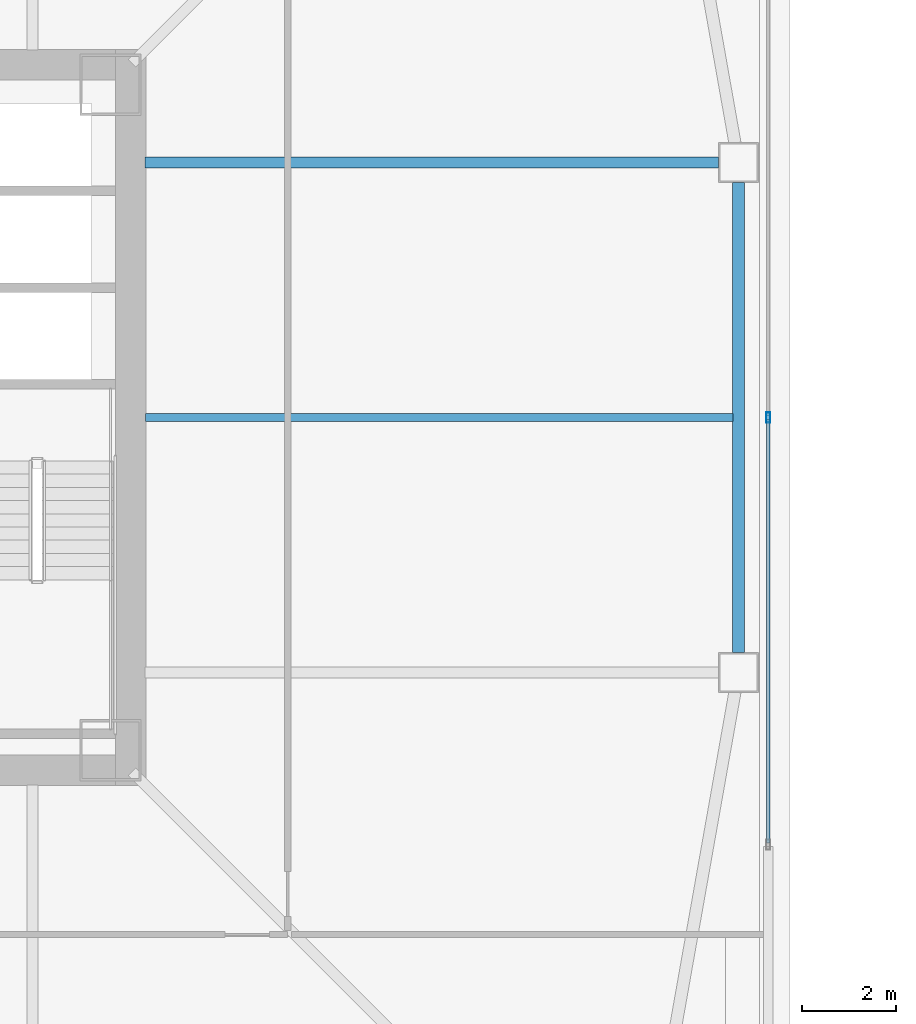
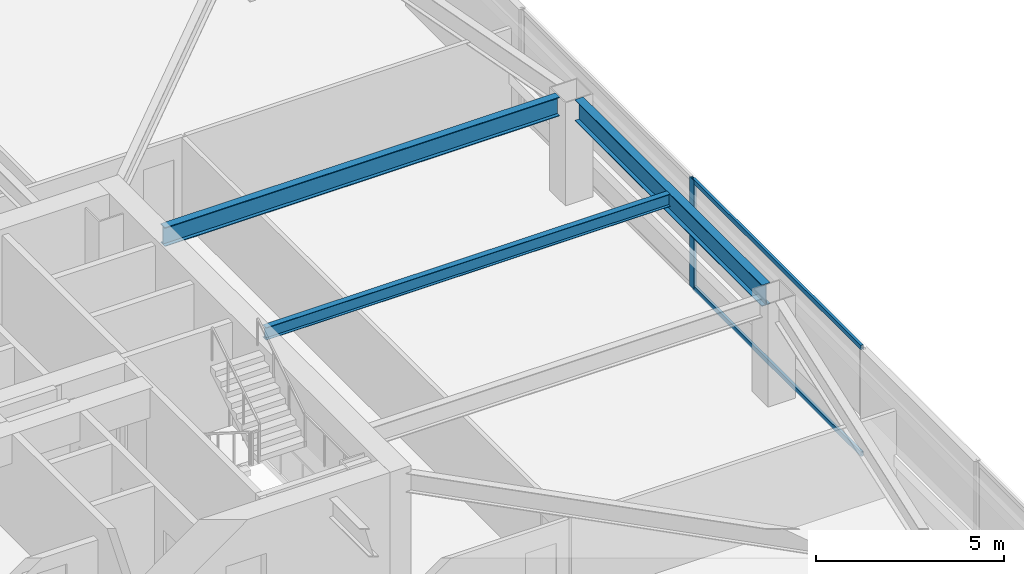
# One storey, part 10 of 48: 3 beams, 3 members, 1 element without a shape of its own.
"""IFC4 building model written with IfcOpenShell, lengths in metres."""

from ifc_helpers import new_model, si_unit, direction, frame, origin, origin_2d, place, context, subcontext, project, spatial, hollow_rectangle, i_section, extrude, material, material_profile, profile_set, type_object, element, aggregate, save


model = new_model("IFC4")

# Units and contexts
model_context = context("Model", 3, precision=1e-05, world=origin(), true_north=direction((0.0, 1.0)))
body_context = subcontext(model_context, "Body", "Model", "MODEL_VIEW")
ifc_project = project(units=[si_unit("LENGTHUNIT", "METRE"), si_unit("AREAUNIT", "SQUARE_METRE"), si_unit("VOLUMEUNIT", "CUBIC_METRE"), si_unit("PLANEANGLEUNIT", "RADIAN"), si_unit("MASSUNIT", "GRAM", prefix="KILO")], contexts=[model_context])

# Site, building, storey
site_placement = place(None, origin())
site = spatial("IfcSite", under=ifc_project, at=site_placement, CompositionType="ELEMENT")
building_placement = place(site_placement, origin())
building = spatial("IfcBuilding", under=site, at=building_placement, Name="Tashvorn Skyway Center", CompositionType="ELEMENT")
storey_placement = place(building_placement, frame((0.0, 0.0, 77.85009765625)))
storey = spatial("IfcBuildingStorey", under=building, at=storey_placement, Name="L20", CompositionType="ELEMENT", Elevation=77.85009765625)

# Beams
ifc_material_1 = material(Name="Steel ASTM A992 Grade 50", Category="steel")
ifc_material_profile_1 = material_profile(ifc_material_1, i_section(OverallWidth=0.22998046875, OverallDepth=0.616943359375, WebThickness=0.01318359375, FlangeThickness=0.022216796875, at=origin_2d()), Name="W24X94")
ifc_profile_set_1 = profile_set([ifc_material_profile_1], Name="Steel ASTM A992 Grade 50")
beam_type_1 = type_object("IfcBeamType", Name="BM-BEAM-W24X94", PredefinedType="BEAM", material=ifc_profile_set_1)
beam_1_placement = place(storey_placement, frame((61.929931640625, 37.39990234375, 3.04150390625), z_axis=(-1.0, 0.0, 0.0), x_axis=(0.0, -1.0, 0.0)))
element("IfcBeam", 1, at=beam_1_placement, inside=storey, type_object=beam_type_1, Name="Tower 1 L20 Primary Floor Girder FC-E2", PredefinedType="BEAM", context=body_context, shape_type="SweptSolid", body=[
    extrude(i_section(OverallWidth=0.22998046875, OverallDepth=0.616943359375, WebThickness=0.01318359375, FlangeThickness=0.022216796875, at=origin_2d()), origin(), (0.0, 0.0, 1.0), 12.14990234375),
])
ifc_material_profile_2 = material_profile(ifc_material_1, i_section(OverallWidth=0.177978515625, OverallDepth=0.406005859375, WebThickness=0.0078125, FlangeThickness=0.0126953125, at=origin_2d()), Name="W16X40")
ifc_profile_set_2 = profile_set([ifc_material_profile_2], Name="Steel ASTM A992 Grade 50")
beam_type_2 = type_object("IfcBeamType", Name="BM-JOIST-W16X40", PredefinedType="JOIST", material=ifc_profile_set_2)
beam_2_placement = place(storey_placement, frame((49.7900390625, 32.0, 3.14697265625), z_axis=(1.0, 0.0, 0.0), x_axis=(0.0, 1.0, 0.0)))
element("IfcBeam", 2, at=beam_2_placement, inside=storey, type_object=beam_type_2, Name="Tower 1 L20 Secondary Composite Joist JE", PredefinedType="JOIST", context=body_context, shape_type="SweptSolid", body=[
    extrude(i_section(OverallWidth=0.177978515625, OverallDepth=0.406005859375, WebThickness=0.0078125, FlangeThickness=0.0126953125, at=origin_2d()), origin(), (0.0, 0.0, 1.0), 12.43994140625),
])
ifc_material_profile_3 = material_profile(ifc_material_1, i_section(OverallWidth=0.256103515625, OverallDepth=0.693115234375, WebThickness=0.014404296875, FlangeThickness=0.023681640625, at=origin_2d()), Name="W27X114")
ifc_profile_set_3 = profile_set([ifc_material_profile_3], Name="Steel ASTM A992 Grade 50")
beam_type_3 = type_object("IfcBeamType", Name="BM-SPANDREL-W27X114", PredefinedType="SPANDREL", material=ifc_profile_set_3)
beam_3_placement = place(storey_placement, frame((62.35009765625, 27.02001953125, 3.00341796875), z_axis=(0.0, 1.0, 0.0), x_axis=(-1.0, 0.0, 0.0)))
element("IfcBeam", 3, at=beam_3_placement, inside=storey, type_object=beam_type_3, Name="Tower 1 L20 Spandrel Beam 05", PredefinedType="SPANDREL", context=body_context, shape_type="SweptSolid", body=[
    extrude(i_section(OverallWidth=0.256103515625, OverallDepth=0.693115234375, WebThickness=0.014404296875, FlangeThickness=0.023681640625, at=origin_2d()), origin(), (0.0, 0.0, 1.0), 9.9599609375),
])

# Curtain wall, members
ifc_material_2 = material(Name="Thermally broken bronze-anodized aluminium 6063-T6", Category="aluminium")
curtain_wall_type = type_object("IfcCurtainWallType", Name="CW-CW-Z2", PredefinedType="NOTDEFINED", material=ifc_material_2)
curtain_wall_placement = place(storey_placement, origin())
curtain_wall = element("IfcCurtainWall", 4, at=curtain_wall_placement, inside=storey, type_object=curtain_wall_type, Name="Tower 1 L20 East Unitised Curtain Wall Glazing Group 2", PredefinedType="NOTDEFINED")
ifc_material_profile_4 = material_profile(ifc_material_2, hollow_rectangle(XDim=0.080078125, YDim=0.219970703125, WallThickness=0.0048828125, at=origin_2d()), Name="ALU-MULL-80x220")
ifc_profile_set_4 = profile_set([ifc_material_profile_4], Name="Thermally broken bronze-anodized aluminium 6063-T6")
member_type_1 = type_object("IfcMemberType", Name="CWM-CW-Z2", PredefinedType="MULLION", material=ifc_profile_set_4)
member_1_placement = place(storey_placement, frame((62.97998046875, 32.0, 0.0), z_axis=(0.0, 0.0, 1.0), x_axis=(1.0, 0.0, 0.0)))
member_1 = element("IfcMember", 5, at=member_1_placement, type_object=member_type_1, Name="CW-Z2 mullion 2", PredefinedType="MULLION", context=body_context, shape_type="SweptSolid", body=[
    extrude(hollow_rectangle(XDim=0.080078125, YDim=0.219970703125, WallThickness=0.0048828125, at=origin_2d()), origin(), (0.0, 0.0, 1.0), 3.5498046875),
])
ifc_material_profile_5 = material_profile(ifc_material_2, hollow_rectangle(XDim=0.080078125, YDim=0.14990234375, WallThickness=0.00439453125, at=origin_2d()), Name="ALU-TRAN-80x150")
ifc_profile_set_5 = profile_set([ifc_material_profile_5], Name="Thermally broken bronze-anodized aluminium 6063-T6")
member_type_2 = type_object("IfcMemberType", Name="CWT-CW-Z2", PredefinedType="USERDEFINED", material=ifc_profile_set_5)
member_2_placement = place(storey_placement, frame((62.97998046875, 31.9599609375, 0.039794921875), z_axis=(0.0, -1.0, 0.0), x_axis=(1.0, 0.0, 0.0)))
member_2 = element("IfcMember", 6, at=member_2_placement, type_object=member_type_2, Name="CW-Z2 transom 2.1", ObjectType="TRANSOM", PredefinedType="USERDEFINED", context=body_context, shape_type="SweptSolid", body=[
    extrude(hollow_rectangle(XDim=0.080078125, YDim=0.14990234375, WallThickness=0.00439453125, at=origin_2d()), origin(), (0.0, 0.0, 1.0), 8.969970703125),
])
member_3_placement = place(storey_placement, frame((62.97998046875, 31.9599609375, 3.510009765625), z_axis=(0.0, -1.0, 0.0), x_axis=(1.0, 0.0, 0.0)))
member_3 = element("IfcMember", 7, at=member_3_placement, type_object=member_type_2, Name="CW-Z2 transom 2.2", ObjectType="TRANSOM", PredefinedType="USERDEFINED", context=body_context, shape_type="SweptSolid", body=[
    extrude(hollow_rectangle(XDim=0.080078125, YDim=0.14990234375, WallThickness=0.00439453125, at=origin_2d()), origin(), (0.0, 0.0, 1.0), 8.969970703125),
])
aggregate(curtain_wall, [member_1, member_2, member_3])

save(model, "model.ifc")
